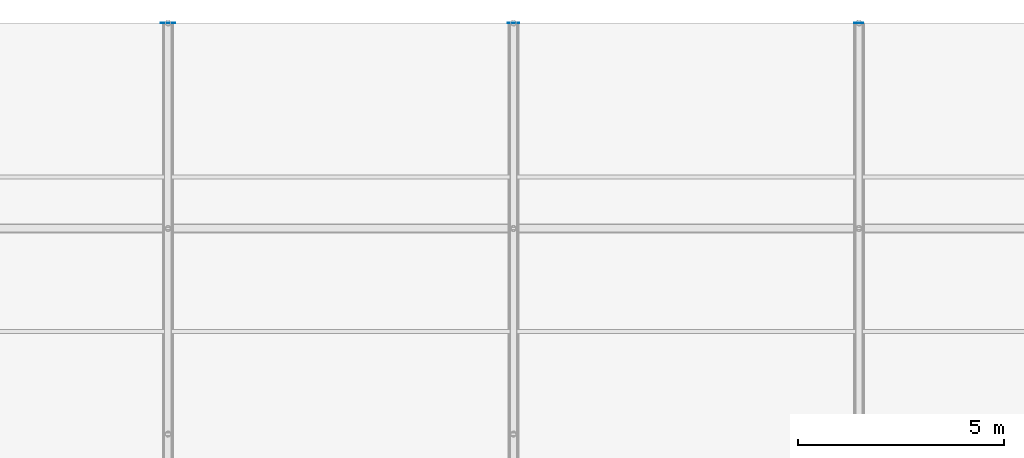
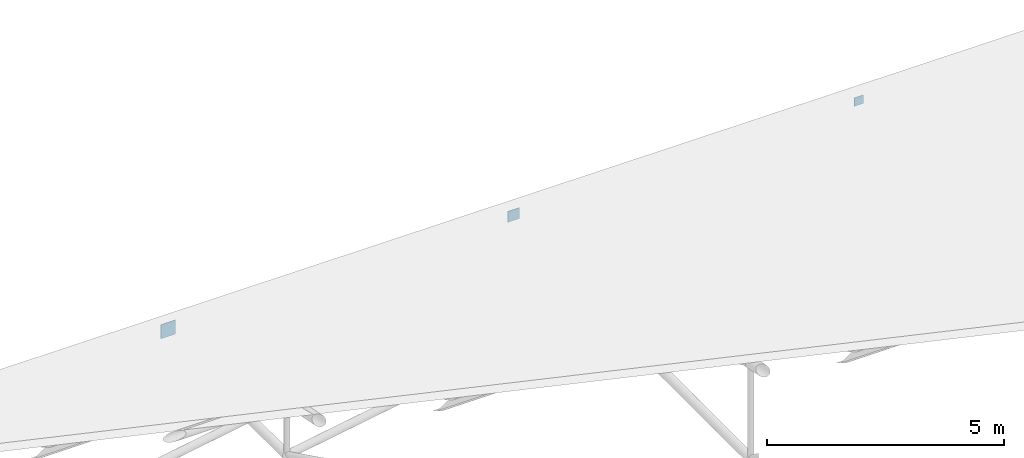
# One storey, part 191 of 194: 3 plates.
"""IFC4 building model written with IfcOpenShell, lengths in metres."""

from ifc_helpers import new_model, si_unit, direction, frame, origin, origin_2d, place, context, subcontext, project, spatial, rectangle, extrude, material, layer, layer_set, type_object, element, save


model = new_model("IFC4")

# Units and contexts
model_context = context("Model", 3, precision=1e-05, world=origin(), true_north=direction((0.0, 1.0)))
body_context = subcontext(model_context, "Body", "Model", "MODEL_VIEW")
ifc_project = project(units=[si_unit("LENGTHUNIT", "METRE"), si_unit("AREAUNIT", "SQUARE_METRE"), si_unit("VOLUMEUNIT", "CUBIC_METRE"), si_unit("PLANEANGLEUNIT", "RADIAN"), si_unit("MASSUNIT", "GRAM", prefix="KILO")], contexts=[model_context])

# Site, building, storey
site_placement = place(None, origin())
site = spatial("IfcSite", under=ifc_project, at=site_placement, CompositionType="ELEMENT")
building_placement = place(site_placement, origin())
building = spatial("IfcBuilding", under=site, at=building_placement, Name="Kazenagashi Tramway Depot", CompositionType="ELEMENT")
storey_placement = place(building_placement, frame((0.0, 0.0, 23.7)))
storey = spatial("IfcBuildingStorey", under=building, at=storey_placement, Name="ROOF", CompositionType="ELEMENT", Elevation=23.7)

# Plates
ifc_material = material(Name="Steel STK490", Category="steel")
ifc_layer_1 = layer(ifc_material, 0.016)
ifc_layer_set_1 = layer_set([ifc_layer_1], Name="Steel STK490")
plate_type_1 = type_object("IfcPlateType", Name="EC-01", PredefinedType="USERDEFINED", material=ifc_layer_set_1)
plate_1_placement = place(storey_placement, frame((170.8, 130.0, -14.08), z_axis=(0.0, 0.0, 1.0), x_axis=(1.0, 0.0, 0.0)))
element("IfcPlate", 1, at=plate_1_placement, inside=storey, type_object=plate_type_1, Name="Structural Node Plate EC-01 PLT-0064", ObjectType="END CAP PLATE", PredefinedType="USERDEFINED", context=body_context, shape_type="SweptSolid", body=[
    extrude(rectangle(XDim=0.36, YDim=0.016, at=origin_2d()), origin(), (0.0, 0.0, 1.0), 0.36),
])
ifc_layer_2 = layer(ifc_material, 0.014)
ifc_layer_set_2 = layer_set([ifc_layer_2], Name="Steel STK490")
plate_type_2 = type_object("IfcPlateType", Name="EC-02", PredefinedType="USERDEFINED", material=ifc_layer_set_2)
plate_2_placement = place(storey_placement, frame((179.2, 130.0, -14.04), z_axis=(0.0, 0.0, 1.0), x_axis=(1.0, 0.0, 0.0)))
element("IfcPlate", 2, at=plate_2_placement, inside=storey, type_object=plate_type_2, Name="Structural Node Plate EC-02 PLT-0068", ObjectType="END CAP PLATE", PredefinedType="USERDEFINED", context=body_context, shape_type="SweptSolid", body=[
    extrude(rectangle(XDim=0.28, YDim=0.014, at=origin_2d()), origin(), (0.0, 0.0, 1.0), 0.28),
])
ifc_layer_3 = layer(ifc_material, 0.012)
ifc_layer_set_3 = layer_set([ifc_layer_3], Name="Steel STK490")
plate_type_3 = type_object("IfcPlateType", Name="EC-03", PredefinedType="USERDEFINED", material=ifc_layer_set_3)
plate_3_placement = place(storey_placement, frame((187.6, 130.0, -14.01), z_axis=(0.0, 0.0, 1.0), x_axis=(1.0, 0.0, 0.0)))
element("IfcPlate", 3, at=plate_3_placement, inside=storey, type_object=plate_type_3, Name="Structural Node Plate EC-03 PLT-0072", ObjectType="END CAP PLATE", PredefinedType="USERDEFINED", context=body_context, shape_type="SweptSolid", body=[
    extrude(rectangle(XDim=0.22, YDim=0.012, at=origin_2d()), origin(), (0.0, 0.0, 1.0), 0.22),
])

save(model, "model.ifc")
